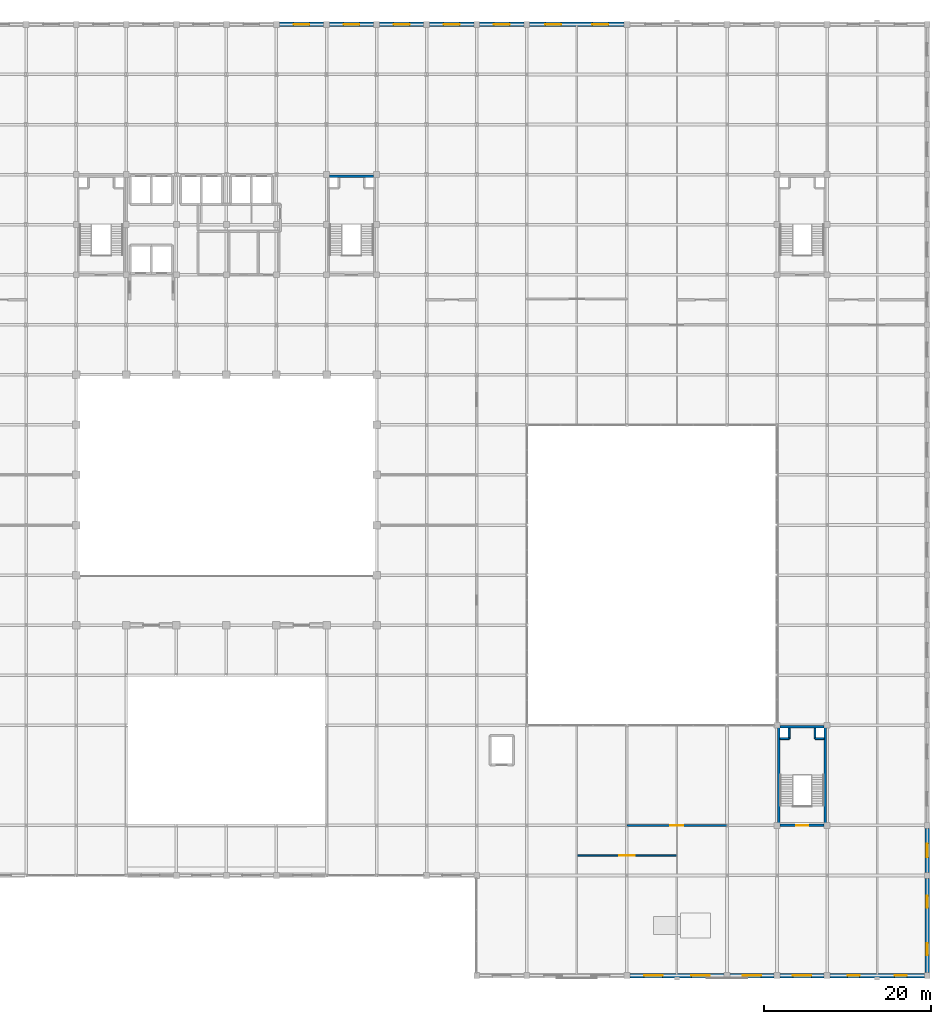
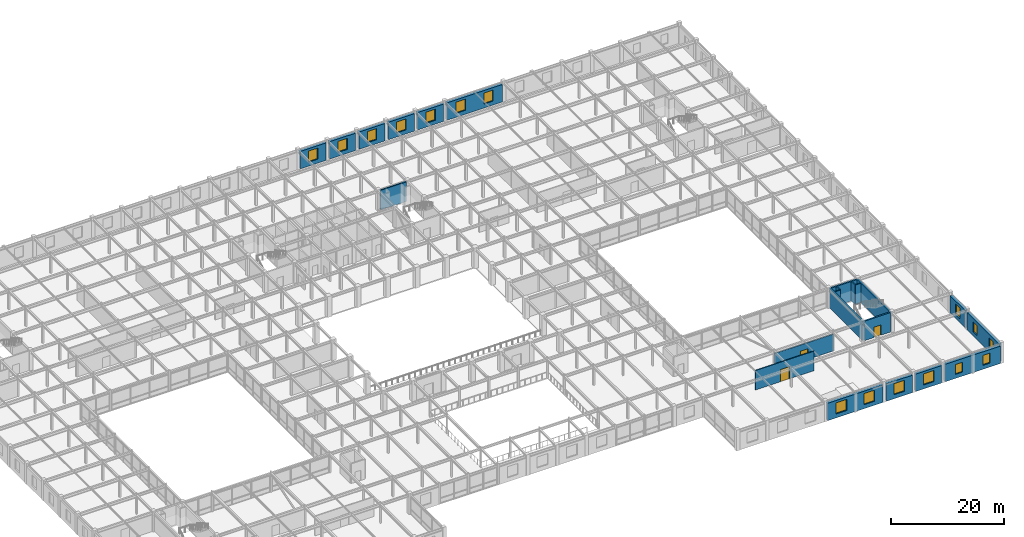
# One storey, part 103 of 108: 23 walls, 16 windows, 3 doors, 19 openings.
"""IFC4 building model written with IfcOpenShell, lengths in metres."""

from ifc_helpers import new_model, si_unit, direction, frame, frame_2d, origin, place, context, subcontext, project, spatial, rectangle, extrude, material, layer, layer_set, type_object, element, fill, save


model = new_model("IFC4")

# Units and contexts
model_context = context("Model", 3, precision=1e-05, world=origin(), true_north=direction((0.0, 1.0)))
body_context = subcontext(model_context, "Body", "Model", "MODEL_VIEW")
ifc_project = project(units=[si_unit("LENGTHUNIT", "METRE"), si_unit("AREAUNIT", "SQUARE_METRE"), si_unit("VOLUMEUNIT", "CUBIC_METRE"), si_unit("PLANEANGLEUNIT", "RADIAN"), si_unit("MASSUNIT", "GRAM", prefix="KILO")], contexts=[model_context])

# Site, building, storey
site_placement = place(None, origin())
site = spatial("IfcSite", under=ifc_project, at=site_placement, CompositionType="ELEMENT")
building_placement = place(site_placement, origin())
building = spatial("IfcBuilding", under=site, at=building_placement, Name="Zlatovratsky Civic Hall", CompositionType="ELEMENT")
storey_placement = place(building_placement, frame((0.0, 0.0, 12.0)))
storey = spatial("IfcBuildingStorey", under=building, at=storey_placement, Name="L03", CompositionType="ELEMENT", Elevation=12.0)

# Wall, opening, door
ifc_material_1 = material(Name="Acoustic ceramic blockwork", Category="masonry")
ifc_layer_1 = layer(ifc_material_1, 0.179931640625)
ifc_layer_set_1 = layer_set([ifc_layer_1], Name="Acoustic ceramic blockwork")
wall_type_1 = type_object("IfcWallType", Name="Wall_AcousticChamberPartition_180", PredefinedType="PARTITIONING", material=ifc_layer_set_1)
wall_1_placement = place(storey_placement, frame((126.0, 14.39990234375, 0.0), z_axis=(0.0, 0.0, 1.0), x_axis=(1.0, 0.0, 0.0)))
wall_1 = element("IfcWall", 1, at=wall_1_placement, inside=storey, type_object=wall_type_1, Name="WL-6171", PredefinedType="PARTITIONING", context=body_context, shape_type="SweptSolid", body=[
    extrude(rectangle(XDim=12.0, YDim=0.179931640625, at=frame_2d((6.0, 0.0))), origin(), (0.0, 0.0, 1.0), 4.219970703125),
])
opening_1_placement = place(wall_1_placement, frame((5.074951171875, 0.0, 0.0)))
opening_1 = element("IfcOpeningElement", 2, at=opening_1_placement, cuts=wall_1, Name="Opening D-14", PredefinedType="OPENING", context=body_context, shape_type="SweptSolid", body=[
    extrude(rectangle(XDim=1.85009765625, YDim=2.64990234375, at=frame_2d((0.925048828125, 1.324951171875))), frame((0.0, 0.10498046875, 0.0), z_axis=(0.0, -1.0, 0.0), x_axis=(1.0, 0.0, 0.0)), (0.0, 0.0, 1.0), 0.209716796875),
])
ifc_material_2 = material(Name="Solid oak joinery in steel frame", Category="steel")
door_type_1 = type_object("IfcDoorType", Name="Door_LibraryReadingDouble_1850x2650", OperationType="DOUBLE_DOOR_SINGLE_SWING", PredefinedType="DOOR", material=ifc_material_2)
door_1_placement = place(opening_1_placement, origin())
door_1 = element("IfcDoor", 3, at=door_1_placement, inside=storey, type_object=door_type_1, Name="DR-5292", OperationType="DOUBLE_DOOR_SINGLE_SWING", OverallHeight=2.64990234375, OverallWidth=1.85009765625, PredefinedType="DOOR", context=body_context, shape_type="SweptSolid", body=[
    extrude(rectangle(XDim=1.85009765625, YDim=2.64990234375, at=frame_2d((0.925048828125, 1.324951171875))), frame((0.0, 0.02490234375, 0.0), z_axis=(0.0, -1.0, 0.0), x_axis=(1.0, 0.0, 0.0)), (0.0, 0.0, 1.0), 0.050048828125),
])
fill(opening_1, door_1)

ifc_layer_2 = layer(ifc_material_1, 0.260009765625)
ifc_layer_set_2 = layer_set([ifc_layer_2], Name="Acoustic ceramic blockwork")
wall_type_2 = type_object("IfcWallType", Name="Wall_ArchiveCompartment_260", PredefinedType="PARTITIONING", material=ifc_layer_set_2)
wall_2_placement = place(storey_placement, frame((132.0, 18.0, 0.0), z_axis=(0.0, 0.0, 1.0), x_axis=(1.0, 0.0, 0.0)))
wall_2 = element("IfcWall", 4, at=wall_2_placement, inside=storey, type_object=wall_type_2, Name="WL-6180", PredefinedType="PARTITIONING", context=body_context, shape_type="SweptSolid", body=[
    extrude(rectangle(XDim=12.0, YDim=0.260009765625, at=frame_2d((6.0, 0.0))), origin(), (0.0, 0.0, 1.0), 3.637939453125),
])
opening_2_placement = place(wall_2_placement, frame((5.22509765625, 0.0, 0.0)))
opening_2 = element("IfcOpeningElement", 5, at=opening_2_placement, cuts=wall_2, Name="Opening D-15", PredefinedType="OPENING", context=body_context, shape_type="SweptSolid", body=[
    extrude(rectangle(XDim=1.550048828125, YDim=2.300048828125, at=frame_2d((0.77490234375, 1.14990234375))), frame((0.0, 0.14501953125, 0.0), z_axis=(0.0, -1.0, 0.0), x_axis=(1.0, 0.0, 0.0)), (0.0, 0.0, 1.0), 0.289794921875),
])
ifc_material_3 = material(Name="Insulated painted fire-rated steel leaf", Category="steel")
door_type_2 = type_object("IfcDoorType", Name="Door_CompactArchiveFire_1550x2300", OperationType="DOUBLE_DOOR_SINGLE_SWING", PredefinedType="DOOR", material=ifc_material_3)
door_2_placement = place(opening_2_placement, origin())
door_2 = element("IfcDoor", 6, at=door_2_placement, inside=storey, type_object=door_type_2, Name="DR-5301", OperationType="DOUBLE_DOOR_SINGLE_SWING", OverallHeight=2.300048828125, OverallWidth=1.550048828125, PredefinedType="DOOR", context=body_context, shape_type="SweptSolid", body=[
    extrude(rectangle(XDim=1.550048828125, YDim=2.300048828125, at=frame_2d((0.77490234375, 1.14990234375))), frame((0.0, 0.02490234375, 0.0), z_axis=(0.0, -1.0, 0.0), x_axis=(1.0, 0.0, 0.0)), (0.0, 0.0, 1.0), 0.050048828125),
])
fill(opening_2, door_2)

# Wall, openings, windows
ifc_layer_3 = layer(ifc_material_1, 0.39990234375, Name="Backing")
ifc_material_4 = material(Name="Polished Karelian granite ashlar", Category="masonry")
ifc_layer_4 = layer(ifc_material_4, 0.139892578125, Name="Finish")
ifc_layer_set_3 = layer_set([ifc_layer_3, ifc_layer_4], Name="Acoustic ceramic blockwork")
wall_type_3 = type_object("IfcWallType", Name="Wall_PodiumGraniteArcade_540", PredefinedType="SOLIDWALL", material=ifc_layer_set_3)
wall_3_placement = place(storey_placement, frame((132.35009765625, 0.0, 0.0), z_axis=(0.0, 0.0, 1.0), x_axis=(1.0, 0.0, 0.0)))
wall_3 = element("IfcWall", 7, at=wall_3_placement, inside=storey, type_object=wall_type_3, Name="WL-0249", PredefinedType="SOLIDWALL", context=body_context, shape_type="SweptSolid", body=[
    extrude(rectangle(XDim=11.2998046875, YDim=0.5400390625, at=frame_2d((5.64990234375, 0.0))), origin(), (0.0, 0.0, 1.0), 3.77001953125),
])
opening_3_placement = place(wall_3_placement, frame((1.72509765625, 0.0, 0.85009765625)))
opening_3 = element("IfcOpeningElement", 8, at=opening_3_placement, cuts=wall_3, Name="Opening WN-07", PredefinedType="OPENING", context=body_context, shape_type="SweptSolid", body=[
    extrude(rectangle(XDim=2.199951171875, YDim=2.39990234375, at=frame_2d((1.10009765625, 1.199951171875))), frame((0.0, 0.284912109375, 0.0), z_axis=(0.0, -1.0, 0.0), x_axis=(1.0, 0.0, 0.0)), (0.0, 0.0, 1.0), 0.56982421875),
])
opening_4_placement = place(wall_3_placement, frame((7.375, 0.0, 0.85009765625)))
opening_4 = element("IfcOpeningElement", 9, at=opening_4_placement, cuts=wall_3, Name="Opening WN-07", PredefinedType="OPENING", context=body_context, shape_type="SweptSolid", body=[
    extrude(rectangle(XDim=2.199951171875, YDim=2.39990234375, at=frame_2d((1.10009765625, 1.199951171875))), frame((0.0, 0.284912109375, 0.0), z_axis=(0.0, -1.0, 0.0), x_axis=(1.0, 0.0, 0.0)), (0.0, 0.0, 1.0), 0.56982421875),
])
ifc_material_5 = material(Name="Low-E laminated double glazing", Category="glass")
window_type_1 = type_object("IfcWindowType", Name="Window_GalleryClerestory_2200x2400", PartitioningType="SINGLE_PANEL", PredefinedType="WINDOW", material=ifc_material_5)
window_1_placement = place(opening_3_placement, origin())
window_1 = element("IfcWindow", 10, at=window_1_placement, inside=storey, type_object=window_type_1, Name="WN-0177", OverallHeight=2.39990234375, OverallWidth=2.199951171875, PartitioningType="SINGLE_PANEL", PredefinedType="WINDOW", context=body_context, shape_type="SweptSolid", body=[
    extrude(rectangle(XDim=2.199951171875, YDim=2.39990234375, at=frame_2d((1.10009765625, 1.199951171875))), frame((0.0, 0.030029296875, 0.0), z_axis=(0.0, -1.0, 0.0), x_axis=(1.0, 0.0, 0.0)), (0.0, 0.0, 1.0), 0.06005859375),
])
fill(opening_3, window_1)
window_2_placement = place(opening_4_placement, origin())
window_2 = element("IfcWindow", 11, at=window_2_placement, inside=storey, type_object=window_type_1, Name="WN-0178", OverallHeight=2.39990234375, OverallWidth=2.199951171875, PartitioningType="SINGLE_PANEL", PredefinedType="WINDOW", context=body_context, shape_type="SweptSolid", body=[
    extrude(rectangle(XDim=2.199951171875, YDim=2.39990234375, at=frame_2d((1.10009765625, 1.199951171875))), frame((0.0, 0.030029296875, 0.0), z_axis=(0.0, -1.0, 0.0), x_axis=(1.0, 0.0, 0.0)), (0.0, 0.0, 1.0), 0.06005859375),
])
fill(opening_4, window_2)

# Wall, opening, window
wall_4_placement = place(storey_placement, frame((144.35009765625, 0.0, 0.0), z_axis=(0.0, 0.0, 1.0), x_axis=(1.0, 0.0, 0.0)))
wall_4 = element("IfcWall", 12, at=wall_4_placement, inside=storey, type_object=wall_type_3, Name="WL-0250", PredefinedType="SOLIDWALL", context=body_context, shape_type="SweptSolid", body=[
    extrude(rectangle(XDim=5.2998046875, YDim=0.5400390625, at=frame_2d((2.64990234375, 0.0))), origin(), (0.0, 0.0, 1.0), 3.77001953125),
])
opening_5_placement = place(wall_4_placement, frame((1.550048828125, 0.0, 0.85009765625)))
opening_5 = element("IfcOpeningElement", 13, at=opening_5_placement, cuts=wall_4, Name="Opening WN-07", PredefinedType="OPENING", context=body_context, shape_type="SweptSolid", body=[
    extrude(rectangle(XDim=2.199951171875, YDim=2.39990234375, at=frame_2d((1.10009765625, 1.199951171875))), frame((0.0, 0.284912109375, 0.0), z_axis=(0.0, -1.0, 0.0), x_axis=(1.0, 0.0, 0.0)), (0.0, 0.0, 1.0), 0.56982421875),
])
window_3_placement = place(opening_5_placement, origin())
window_3 = element("IfcWindow", 14, at=window_3_placement, inside=storey, type_object=window_type_1, Name="WN-0179", OverallHeight=2.39990234375, OverallWidth=2.199951171875, PartitioningType="SINGLE_PANEL", PredefinedType="WINDOW", context=body_context, shape_type="SweptSolid", body=[
    extrude(rectangle(XDim=2.199951171875, YDim=2.39990234375, at=frame_2d((1.10009765625, 1.199951171875))), frame((0.0, 0.030029296875, 0.0), z_axis=(0.0, -1.0, 0.0), x_axis=(1.0, 0.0, 0.0)), (0.0, 0.0, 1.0), 0.06005859375),
])
fill(opening_5, window_3)

wall_5_placement = place(storey_placement, frame((150.35009765625, 0.0, 0.0), z_axis=(0.0, 0.0, 1.0), x_axis=(1.0, 0.0, 0.0)))
wall_5 = element("IfcWall", 15, at=wall_5_placement, inside=storey, type_object=wall_type_3, Name="WL-0251", PredefinedType="SOLIDWALL", context=body_context, shape_type="SweptSolid", body=[
    extrude(rectangle(XDim=5.2998046875, YDim=0.5400390625, at=frame_2d((2.64990234375, 0.0))), origin(), (0.0, 0.0, 1.0), 3.77001953125),
])
opening_6_placement = place(wall_5_placement, frame((1.550048828125, 0.0, 0.85009765625)))
opening_6 = element("IfcOpeningElement", 16, at=opening_6_placement, cuts=wall_5, Name="Opening WN-07", PredefinedType="OPENING", context=body_context, shape_type="SweptSolid", body=[
    extrude(rectangle(XDim=2.199951171875, YDim=2.39990234375, at=frame_2d((1.10009765625, 1.199951171875))), frame((0.0, 0.284912109375, 0.0), z_axis=(0.0, -1.0, 0.0), x_axis=(1.0, 0.0, 0.0)), (0.0, 0.0, 1.0), 0.56982421875),
])
window_4_placement = place(opening_6_placement, origin())
window_4 = element("IfcWindow", 17, at=window_4_placement, inside=storey, type_object=window_type_1, Name="WN-0180", OverallHeight=2.39990234375, OverallWidth=2.199951171875, PartitioningType="SINGLE_PANEL", PredefinedType="WINDOW", context=body_context, shape_type="SweptSolid", body=[
    extrude(rectangle(XDim=2.199951171875, YDim=2.39990234375, at=frame_2d((1.10009765625, 1.199951171875))), frame((0.0, 0.030029296875, 0.0), z_axis=(0.0, -1.0, 0.0), x_axis=(1.0, 0.0, 0.0)), (0.0, 0.0, 1.0), 0.06005859375),
])
fill(opening_6, window_4)

# Wall, openings, windows
wall_6_placement = place(storey_placement, frame((156.35009765625, 0.0, 0.0), z_axis=(0.0, 0.0, 1.0), x_axis=(1.0, 0.0, 0.0)))
wall_6 = element("IfcWall", 18, at=wall_6_placement, inside=storey, type_object=wall_type_3, Name="WL-0252", PredefinedType="SOLIDWALL", context=body_context, shape_type="SweptSolid", body=[
    extrude(rectangle(XDim=11.2998046875, YDim=0.5400390625, at=frame_2d((5.64990234375, 0.0))), origin(), (0.0, 0.0, 1.0), 3.77001953125),
])
opening_7_placement = place(wall_6_placement, frame((2.10009765625, 0.0, 0.85009765625)))
opening_7 = element("IfcOpeningElement", 19, at=opening_7_placement, cuts=wall_6, Name="Opening WN-28", PredefinedType="OPENING", context=body_context, shape_type="SweptSolid", body=[
    extrude(rectangle(XDim=1.449951171875, YDim=2.14990234375, at=frame_2d((0.72509765625, 1.074951171875))), frame((0.0, 0.284912109375, 0.0), z_axis=(0.0, -1.0, 0.0), x_axis=(1.0, 0.0, 0.0)), (0.0, 0.0, 1.0), 0.56982421875),
])
opening_8_placement = place(wall_6_placement, frame((7.75, 0.0, 0.85009765625)))
opening_8 = element("IfcOpeningElement", 20, at=opening_8_placement, cuts=wall_6, Name="Opening WN-28", PredefinedType="OPENING", context=body_context, shape_type="SweptSolid", body=[
    extrude(rectangle(XDim=1.449951171875, YDim=2.14990234375, at=frame_2d((0.72509765625, 1.074951171875))), frame((0.0, 0.284912109375, 0.0), z_axis=(0.0, -1.0, 0.0), x_axis=(1.0, 0.0, 0.0)), (0.0, 0.0, 1.0), 0.56982421875),
])
window_type_2 = type_object("IfcWindowType", Name="Window_CornerBastionUpper_1450x2150", PartitioningType="SINGLE_PANEL", PredefinedType="WINDOW", material=ifc_material_5)
window_5_placement = place(opening_7_placement, origin())
window_5 = element("IfcWindow", 21, at=window_5_placement, inside=storey, type_object=window_type_2, Name="WN-0181", OverallHeight=2.14990234375, OverallWidth=1.449951171875, PartitioningType="SINGLE_PANEL", PredefinedType="WINDOW", context=body_context, shape_type="SweptSolid", body=[
    extrude(rectangle(XDim=1.449951171875, YDim=2.14990234375, at=frame_2d((0.72509765625, 1.074951171875))), frame((0.0, 0.030029296875, 0.0), z_axis=(0.0, -1.0, 0.0), x_axis=(1.0, 0.0, 0.0)), (0.0, 0.0, 1.0), 0.06005859375),
])
fill(opening_7, window_5)
window_6_placement = place(opening_8_placement, origin())
window_6 = element("IfcWindow", 22, at=window_6_placement, inside=storey, type_object=window_type_2, Name="WN-0182", OverallHeight=2.14990234375, OverallWidth=1.449951171875, PartitioningType="SINGLE_PANEL", PredefinedType="WINDOW", context=body_context, shape_type="SweptSolid", body=[
    extrude(rectangle(XDim=1.449951171875, YDim=2.14990234375, at=frame_2d((0.72509765625, 1.074951171875))), frame((0.0, 0.030029296875, 0.0), z_axis=(0.0, -1.0, 0.0), x_axis=(1.0, 0.0, 0.0)), (0.0, 0.0, 1.0), 0.06005859375),
])
fill(opening_8, window_6)

# Wall, opening, window
wall_7_placement = place(storey_placement, frame((90.35009765625, 114.0, 0.0), z_axis=(0.0, 0.0, 1.0), x_axis=(1.0, 0.0, 0.0)))
wall_7 = element("IfcWall", 23, at=wall_7_placement, inside=storey, type_object=wall_type_3, Name="WL-0271", PredefinedType="SOLIDWALL", context=body_context, shape_type="SweptSolid", body=[
    extrude(rectangle(XDim=5.2998046875, YDim=0.5400390625, at=frame_2d((2.64990234375, 0.0))), origin(), (0.0, 0.0, 1.0), 3.77001953125),
])
opening_9_placement = place(wall_7_placement, frame((1.699951171875, 0.0, 0.85009765625)))
opening_9 = element("IfcOpeningElement", 24, at=opening_9_placement, cuts=wall_7, Name="Opening WN-08", PredefinedType="OPENING", context=body_context, shape_type="SweptSolid", body=[
    extrude(rectangle(XDim=1.89990234375, YDim=2.39990234375, at=frame_2d((0.949951171875, 1.199951171875))), frame((0.0, 0.284912109375, 0.0), z_axis=(0.0, -1.0, 0.0), x_axis=(1.0, 0.0, 0.0)), (0.0, 0.0, 1.0), 0.56982421875),
])
window_type_3 = type_object("IfcWindowType", Name="Window_CommitteeWingL03_1900x2400", PartitioningType="SINGLE_PANEL", PredefinedType="WINDOW", material=ifc_material_5)
window_7_placement = place(opening_9_placement, origin())
window_7 = element("IfcWindow", 25, at=window_7_placement, inside=storey, type_object=window_type_3, Name="WN-0203", OverallHeight=2.39990234375, OverallWidth=1.89990234375, PartitioningType="SINGLE_PANEL", PredefinedType="WINDOW", context=body_context, shape_type="SweptSolid", body=[
    extrude(rectangle(XDim=1.89990234375, YDim=2.39990234375, at=frame_2d((0.949951171875, 1.199951171875))), frame((0.0, 0.030029296875, 0.0), z_axis=(0.0, -1.0, 0.0), x_axis=(1.0, 0.0, 0.0)), (0.0, 0.0, 1.0), 0.06005859375),
])
fill(opening_9, window_7)

wall_8_placement = place(storey_placement, frame((96.35009765625, 114.0, 0.0), z_axis=(0.0, 0.0, 1.0), x_axis=(1.0, 0.0, 0.0)))
wall_8 = element("IfcWall", 26, at=wall_8_placement, inside=storey, type_object=wall_type_3, Name="WL-0272", PredefinedType="SOLIDWALL", context=body_context, shape_type="SweptSolid", body=[
    extrude(rectangle(XDim=5.2998046875, YDim=0.5400390625, at=frame_2d((2.64990234375, 0.0))), origin(), (0.0, 0.0, 1.0), 3.77001953125),
])
opening_10_placement = place(wall_8_placement, frame((1.699951171875, 0.0, 0.85009765625)))
opening_10 = element("IfcOpeningElement", 27, at=opening_10_placement, cuts=wall_8, Name="Opening WN-08", PredefinedType="OPENING", context=body_context, shape_type="SweptSolid", body=[
    extrude(rectangle(XDim=1.89990234375, YDim=2.39990234375, at=frame_2d((0.949951171875, 1.199951171875))), frame((0.0, 0.284912109375, 0.0), z_axis=(0.0, -1.0, 0.0), x_axis=(1.0, 0.0, 0.0)), (0.0, 0.0, 1.0), 0.56982421875),
])
window_8_placement = place(opening_10_placement, origin())
window_8 = element("IfcWindow", 28, at=window_8_placement, inside=storey, type_object=window_type_3, Name="WN-0204", OverallHeight=2.39990234375, OverallWidth=1.89990234375, PartitioningType="SINGLE_PANEL", PredefinedType="WINDOW", context=body_context, shape_type="SweptSolid", body=[
    extrude(rectangle(XDim=1.89990234375, YDim=2.39990234375, at=frame_2d((0.949951171875, 1.199951171875))), frame((0.0, 0.030029296875, 0.0), z_axis=(0.0, -1.0, 0.0), x_axis=(1.0, 0.0, 0.0)), (0.0, 0.0, 1.0), 0.06005859375),
])
fill(opening_10, window_8)

wall_9_placement = place(storey_placement, frame((102.35009765625, 114.0, 0.0), z_axis=(0.0, 0.0, 1.0), x_axis=(1.0, 0.0, 0.0)))
wall_9 = element("IfcWall", 29, at=wall_9_placement, inside=storey, type_object=wall_type_3, Name="WL-0273", PredefinedType="SOLIDWALL", context=body_context, shape_type="SweptSolid", body=[
    extrude(rectangle(XDim=5.2998046875, YDim=0.5400390625, at=frame_2d((2.64990234375, 0.0))), origin(), (0.0, 0.0, 1.0), 3.77001953125),
])
opening_11_placement = place(wall_9_placement, frame((1.699951171875, 0.0, 0.85009765625)))
opening_11 = element("IfcOpeningElement", 30, at=opening_11_placement, cuts=wall_9, Name="Opening WN-08", PredefinedType="OPENING", context=body_context, shape_type="SweptSolid", body=[
    extrude(rectangle(XDim=1.89990234375, YDim=2.39990234375, at=frame_2d((0.949951171875, 1.199951171875))), frame((0.0, 0.284912109375, 0.0), z_axis=(0.0, -1.0, 0.0), x_axis=(1.0, 0.0, 0.0)), (0.0, 0.0, 1.0), 0.56982421875),
])
window_9_placement = place(opening_11_placement, origin())
window_9 = element("IfcWindow", 31, at=window_9_placement, inside=storey, type_object=window_type_3, Name="WN-0205", OverallHeight=2.39990234375, OverallWidth=1.89990234375, PartitioningType="SINGLE_PANEL", PredefinedType="WINDOW", context=body_context, shape_type="SweptSolid", body=[
    extrude(rectangle(XDim=1.89990234375, YDim=2.39990234375, at=frame_2d((0.949951171875, 1.199951171875))), frame((0.0, 0.030029296875, 0.0), z_axis=(0.0, -1.0, 0.0), x_axis=(1.0, 0.0, 0.0)), (0.0, 0.0, 1.0), 0.06005859375),
])
fill(opening_11, window_9)

wall_10_placement = place(storey_placement, frame((108.35009765625, 114.0, 0.0), z_axis=(0.0, 0.0, 1.0), x_axis=(1.0, 0.0, 0.0)))
wall_10 = element("IfcWall", 32, at=wall_10_placement, inside=storey, type_object=wall_type_3, Name="WL-0274", PredefinedType="SOLIDWALL", context=body_context, shape_type="SweptSolid", body=[
    extrude(rectangle(XDim=5.2998046875, YDim=0.5400390625, at=frame_2d((2.64990234375, 0.0))), origin(), (0.0, 0.0, 1.0), 3.77001953125),
])
opening_12_placement = place(wall_10_placement, frame((1.699951171875, 0.0, 0.85009765625)))
opening_12 = element("IfcOpeningElement", 33, at=opening_12_placement, cuts=wall_10, Name="Opening WN-08", PredefinedType="OPENING", context=body_context, shape_type="SweptSolid", body=[
    extrude(rectangle(XDim=1.89990234375, YDim=2.39990234375, at=frame_2d((0.949951171875, 1.199951171875))), frame((0.0, 0.284912109375, 0.0), z_axis=(0.0, -1.0, 0.0), x_axis=(1.0, 0.0, 0.0)), (0.0, 0.0, 1.0), 0.56982421875),
])
window_10_placement = place(opening_12_placement, origin())
window_10 = element("IfcWindow", 34, at=window_10_placement, inside=storey, type_object=window_type_3, Name="WN-0206", OverallHeight=2.39990234375, OverallWidth=1.89990234375, PartitioningType="SINGLE_PANEL", PredefinedType="WINDOW", context=body_context, shape_type="SweptSolid", body=[
    extrude(rectangle(XDim=1.89990234375, YDim=2.39990234375, at=frame_2d((0.949951171875, 1.199951171875))), frame((0.0, 0.030029296875, 0.0), z_axis=(0.0, -1.0, 0.0), x_axis=(1.0, 0.0, 0.0)), (0.0, 0.0, 1.0), 0.06005859375),
])
fill(opening_12, window_10)

wall_11_placement = place(storey_placement, frame((114.35009765625, 114.0, 0.0), z_axis=(0.0, 0.0, 1.0), x_axis=(1.0, 0.0, 0.0)))
wall_11 = element("IfcWall", 35, at=wall_11_placement, inside=storey, type_object=wall_type_3, Name="WL-0275", PredefinedType="SOLIDWALL", context=body_context, shape_type="SweptSolid", body=[
    extrude(rectangle(XDim=5.2998046875, YDim=0.5400390625, at=frame_2d((2.64990234375, 0.0))), origin(), (0.0, 0.0, 1.0), 3.77001953125),
])
opening_13_placement = place(wall_11_placement, frame((1.699951171875, 0.0, 0.85009765625)))
opening_13 = element("IfcOpeningElement", 36, at=opening_13_placement, cuts=wall_11, Name="Opening WN-08", PredefinedType="OPENING", context=body_context, shape_type="SweptSolid", body=[
    extrude(rectangle(XDim=1.89990234375, YDim=2.39990234375, at=frame_2d((0.949951171875, 1.199951171875))), frame((0.0, 0.284912109375, 0.0), z_axis=(0.0, -1.0, 0.0), x_axis=(1.0, 0.0, 0.0)), (0.0, 0.0, 1.0), 0.56982421875),
])
window_11_placement = place(opening_13_placement, origin())
window_11 = element("IfcWindow", 37, at=window_11_placement, inside=storey, type_object=window_type_3, Name="WN-0207", OverallHeight=2.39990234375, OverallWidth=1.89990234375, PartitioningType="SINGLE_PANEL", PredefinedType="WINDOW", context=body_context, shape_type="SweptSolid", body=[
    extrude(rectangle(XDim=1.89990234375, YDim=2.39990234375, at=frame_2d((0.949951171875, 1.199951171875))), frame((0.0, 0.030029296875, 0.0), z_axis=(0.0, -1.0, 0.0), x_axis=(1.0, 0.0, 0.0)), (0.0, 0.0, 1.0), 0.06005859375),
])
fill(opening_13, window_11)

# Wall, openings, windows
wall_12_placement = place(storey_placement, frame((120.35009765625, 114.0, 0.0), z_axis=(0.0, 0.0, 1.0), x_axis=(1.0, 0.0, 0.0)))
wall_12 = element("IfcWall", 38, at=wall_12_placement, inside=storey, type_object=wall_type_3, Name="WL-0276", PredefinedType="SOLIDWALL", context=body_context, shape_type="SweptSolid", body=[
    extrude(rectangle(XDim=11.2998046875, YDim=0.5400390625, at=frame_2d((5.64990234375, 0.0))), origin(), (0.0, 0.0, 1.0), 3.77001953125),
])
opening_14_placement = place(wall_12_placement, frame((1.875, 0.0, 0.85009765625)))
opening_14 = element("IfcOpeningElement", 39, at=opening_14_placement, cuts=wall_12, Name="Opening WN-08", PredefinedType="OPENING", context=body_context, shape_type="SweptSolid", body=[
    extrude(rectangle(XDim=1.89990234375, YDim=2.39990234375, at=frame_2d((0.949951171875, 1.199951171875))), frame((0.0, 0.284912109375, 0.0), z_axis=(0.0, -1.0, 0.0), x_axis=(1.0, 0.0, 0.0)), (0.0, 0.0, 1.0), 0.56982421875),
])
opening_15_placement = place(wall_12_placement, frame((7.52490234375, 0.0, 0.85009765625)))
opening_15 = element("IfcOpeningElement", 40, at=opening_15_placement, cuts=wall_12, Name="Opening WN-08", PredefinedType="OPENING", context=body_context, shape_type="SweptSolid", body=[
    extrude(rectangle(XDim=1.89990234375, YDim=2.39990234375, at=frame_2d((0.949951171875, 1.199951171875))), frame((0.0, 0.284912109375, 0.0), z_axis=(0.0, -1.0, 0.0), x_axis=(1.0, 0.0, 0.0)), (0.0, 0.0, 1.0), 0.56982421875),
])
window_12_placement = place(opening_14_placement, origin())
window_12 = element("IfcWindow", 41, at=window_12_placement, inside=storey, type_object=window_type_3, Name="WN-0208", OverallHeight=2.39990234375, OverallWidth=1.89990234375, PartitioningType="SINGLE_PANEL", PredefinedType="WINDOW", context=body_context, shape_type="SweptSolid", body=[
    extrude(rectangle(XDim=1.89990234375, YDim=2.39990234375, at=frame_2d((0.949951171875, 1.199951171875))), frame((0.0, 0.030029296875, 0.0), z_axis=(0.0, -1.0, 0.0), x_axis=(1.0, 0.0, 0.0)), (0.0, 0.0, 1.0), 0.06005859375),
])
fill(opening_14, window_12)
window_13_placement = place(opening_15_placement, origin())
window_13 = element("IfcWindow", 42, at=window_13_placement, inside=storey, type_object=window_type_3, Name="WN-0209", OverallHeight=2.39990234375, OverallWidth=1.89990234375, PartitioningType="SINGLE_PANEL", PredefinedType="WINDOW", context=body_context, shape_type="SweptSolid", body=[
    extrude(rectangle(XDim=1.89990234375, YDim=2.39990234375, at=frame_2d((0.949951171875, 1.199951171875))), frame((0.0, 0.030029296875, 0.0), z_axis=(0.0, -1.0, 0.0), x_axis=(1.0, 0.0, 0.0)), (0.0, 0.0, 1.0), 0.06005859375),
])
fill(opening_15, window_13)

wall_13_placement = place(storey_placement, frame((168.0, 0.35009765625, 0.0), z_axis=(0.0, 0.0, 1.0), x_axis=(0.0, 1.0, 0.0)))
wall_13 = element("IfcWall", 43, at=wall_13_placement, inside=storey, type_object=wall_type_3, Name="WL-0298", PredefinedType="SOLIDWALL", context=body_context, shape_type="SweptSolid", body=[
    extrude(rectangle(XDim=11.2998046875, YDim=0.5400390625, at=frame_2d((5.64990234375, 0.0))), origin(), (0.0, 0.0, 1.0), 3.77001953125),
])
opening_16_placement = place(wall_13_placement, frame((2.10009765625, 0.0, 0.85009765625)))
opening_16 = element("IfcOpeningElement", 44, at=opening_16_placement, cuts=wall_13, Name="Opening WN-28", PredefinedType="OPENING", context=body_context, shape_type="SweptSolid", body=[
    extrude(rectangle(XDim=1.449951171875, YDim=2.14990234375, at=frame_2d((0.72509765625, 1.074951171875))), frame((0.0, 0.284912109375, 0.0), z_axis=(0.0, -1.0, 0.0), x_axis=(1.0, 0.0, 0.0)), (0.0, 0.0, 1.0), 0.56982421875),
])
opening_17_placement = place(wall_13_placement, frame((7.75, 0.0, 0.85009765625)))
opening_17 = element("IfcOpeningElement", 45, at=opening_17_placement, cuts=wall_13, Name="Opening WN-28", PredefinedType="OPENING", context=body_context, shape_type="SweptSolid", body=[
    extrude(rectangle(XDim=1.449951171875, YDim=2.14990234375, at=frame_2d((0.72509765625, 1.074951171875))), frame((0.0, 0.284912109375, 0.0), z_axis=(0.0, -1.0, 0.0), x_axis=(1.0, 0.0, 0.0)), (0.0, 0.0, 1.0), 0.56982421875),
])
window_14_placement = place(opening_16_placement, origin())
window_14 = element("IfcWindow", 46, at=window_14_placement, inside=storey, type_object=window_type_2, Name="WN-0234", OverallHeight=2.14990234375, OverallWidth=1.449951171875, PartitioningType="SINGLE_PANEL", PredefinedType="WINDOW", context=body_context, shape_type="SweptSolid", body=[
    extrude(rectangle(XDim=1.449951171875, YDim=2.14990234375, at=frame_2d((0.72509765625, 1.074951171875))), frame((0.0, 0.030029296875, 0.0), z_axis=(0.0, -1.0, 0.0), x_axis=(1.0, 0.0, 0.0)), (0.0, 0.0, 1.0), 0.06005859375),
])
fill(opening_16, window_14)
window_15_placement = place(opening_17_placement, origin())
window_15 = element("IfcWindow", 47, at=window_15_placement, inside=storey, type_object=window_type_2, Name="WN-0235", OverallHeight=2.14990234375, OverallWidth=1.449951171875, PartitioningType="SINGLE_PANEL", PredefinedType="WINDOW", context=body_context, shape_type="SweptSolid", body=[
    extrude(rectangle(XDim=1.449951171875, YDim=2.14990234375, at=frame_2d((0.72509765625, 1.074951171875))), frame((0.0, 0.030029296875, 0.0), z_axis=(0.0, -1.0, 0.0), x_axis=(1.0, 0.0, 0.0)), (0.0, 0.0, 1.0), 0.06005859375),
])
fill(opening_17, window_15)

# Wall, opening, window
wall_14_placement = place(storey_placement, frame((168.0, 12.35009765625, 0.0), z_axis=(0.0, 0.0, 1.0), x_axis=(0.0, 1.0, 0.0)))
wall_14 = element("IfcWall", 48, at=wall_14_placement, inside=storey, type_object=wall_type_3, Name="WL-0299", PredefinedType="SOLIDWALL", context=body_context, shape_type="SweptSolid", body=[
    extrude(rectangle(XDim=5.2998046875, YDim=0.5400390625, at=frame_2d((2.64990234375, 0.0))), origin(), (0.0, 0.0, 1.0), 3.77001953125),
])
opening_18_placement = place(wall_14_placement, frame((1.824951171875, 0.0, 0.85009765625)))
opening_18 = element("IfcOpeningElement", 49, at=opening_18_placement, cuts=wall_14, Name="Opening WN-09", PredefinedType="OPENING", context=body_context, shape_type="SweptSolid", body=[
    extrude(rectangle(XDim=1.64990234375, YDim=2.300048828125, at=frame_2d((0.824951171875, 1.14990234375))), frame((0.0, 0.284912109375, 0.0), z_axis=(0.0, -1.0, 0.0), x_axis=(1.0, 0.0, 0.0)), (0.0, 0.0, 1.0), 0.56982421875),
])
window_type_4 = type_object("IfcWindowType", Name="Window_CourtWingL03_1650x2300", PartitioningType="SINGLE_PANEL", PredefinedType="WINDOW", material=ifc_material_5)
window_16_placement = place(opening_18_placement, origin())
window_16 = element("IfcWindow", 50, at=window_16_placement, inside=storey, type_object=window_type_4, Name="WN-0236", OverallHeight=2.300048828125, OverallWidth=1.64990234375, PartitioningType="SINGLE_PANEL", PredefinedType="WINDOW", context=body_context, shape_type="SweptSolid", body=[
    extrude(rectangle(XDim=1.64990234375, YDim=2.300048828125, at=frame_2d((0.824951171875, 1.14990234375))), frame((0.0, 0.030029296875, 0.0), z_axis=(0.0, -1.0, 0.0), x_axis=(1.0, 0.0, 0.0)), (0.0, 0.0, 1.0), 0.06005859375),
])
fill(opening_18, window_16)

# Walls
ifc_layer_5 = layer(ifc_material_1, 0.219970703125)
ifc_layer_set_4 = layer_set([ifc_layer_5], Name="Acoustic ceramic blockwork")
wall_type_4 = type_object("IfcWallType", Name="Wall_SanitaryWetCore_220", PredefinedType="PARTITIONING", material=ifc_layer_set_4)
wall_15_placement = place(storey_placement, frame((151.449951171875, 28.39990234375, 0.0), z_axis=(0.0, 0.0, 1.0), x_axis=(0.0, 1.0, 0.0)))
element("IfcWall", 51, at=wall_15_placement, inside=storey, type_object=wall_type_4, Name="WL-5377", PredefinedType="PARTITIONING", context=body_context, shape_type="SweptSolid", body=[
    extrude(rectangle(XDim=1.25, YDim=0.219970703125, at=frame_2d((0.625, 0.0))), origin(), (0.0, 0.0, 1.0), 4.219970703125),
])
wall_16_placement = place(storey_placement, frame((150.35009765625, 28.39990234375, 0.0), z_axis=(0.0, 0.0, 1.0), x_axis=(1.0, 0.0, 0.0)))
element("IfcWall", 52, at=wall_16_placement, inside=storey, type_object=wall_type_4, Name="WL-5378", PredefinedType="PARTITIONING", context=body_context, shape_type="SweptSolid", body=[
    extrude(rectangle(XDim=1.099853515625, YDim=0.219970703125, at=frame_2d((0.5498046875, 0.0))), origin(), (0.0, 0.0, 1.0), 4.219970703125),
])
wall_17_placement = place(storey_placement, frame((154.550048828125, 28.39990234375, 0.0), z_axis=(0.0, 0.0, 1.0), x_axis=(0.0, 1.0, 0.0)))
element("IfcWall", 53, at=wall_17_placement, inside=storey, type_object=wall_type_4, Name="WL-5379", PredefinedType="PARTITIONING", context=body_context, shape_type="SweptSolid", body=[
    extrude(rectangle(XDim=1.25, YDim=0.219970703125, at=frame_2d((0.625, 0.0))), origin(), (0.0, 0.0, 1.0), 4.219970703125),
])
wall_18_placement = place(storey_placement, frame((154.550048828125, 28.39990234375, 0.0), z_axis=(0.0, 0.0, 1.0), x_axis=(1.0, 0.0, 0.0)))
element("IfcWall", 54, at=wall_18_placement, inside=storey, type_object=wall_type_4, Name="WL-5380", PredefinedType="PARTITIONING", context=body_context, shape_type="SweptSolid", body=[
    extrude(rectangle(XDim=1.099853515625, YDim=0.219970703125, at=frame_2d((0.5498046875, 0.0))), origin(), (0.0, 0.0, 1.0), 4.219970703125),
])
ifc_material_6 = material(Name="Concrete C35/45 (B40)", Category="concrete")
ifc_layer_6 = layer(ifc_material_6, 0.300048828125)
ifc_layer_set_5 = layer_set([ifc_layer_6], Name="Concrete C35/45 (B40)")
wall_type_5 = type_object("IfcWallType", Name="Wall_StairAndLiftShaft_300", PredefinedType="SHEAR", material=ifc_layer_set_5)
wall_19_placement = place(storey_placement, frame((96.35009765625, 95.800048828125, 0.0), z_axis=(0.0, 0.0, 1.0), x_axis=(1.0, 0.0, 0.0)))
element("IfcWall", 55, at=wall_19_placement, inside=storey, type_object=wall_type_5, Name="WL-5184", PredefinedType="SHEAR", context=body_context, shape_type="SweptSolid", body=[
    extrude(rectangle(XDim=5.2998046875, YDim=0.300048828125, at=frame_2d((2.64990234375, 0.0))), origin(), (0.0, 0.0, 1.0), 4.219970703125),
])

# Wall, opening, door
wall_20_placement = place(storey_placement, frame((150.35009765625, 18.0, 0.0), z_axis=(0.0, 0.0, 1.0), x_axis=(1.0, 0.0, 0.0)))
wall_20 = element("IfcWall", 56, at=wall_20_placement, inside=storey, type_object=wall_type_5, Name="WL-5373", PredefinedType="SHEAR", context=body_context, shape_type="SweptSolid", body=[
    extrude(rectangle(XDim=5.2998046875, YDim=0.300048828125, at=frame_2d((2.64990234375, 0.0))), origin(), (0.0, 0.0, 1.0), 4.219970703125),
])
opening_19_placement = place(wall_20_placement, frame((1.925048828125, 0.0, 0.0)))
opening_19 = element("IfcOpeningElement", 57, at=opening_19_placement, cuts=wall_20, Name="Opening D-16", PredefinedType="OPENING", context=body_context, shape_type="SweptSolid", body=[
    extrude(rectangle(XDim=1.449951171875, YDim=2.25, at=frame_2d((0.72509765625, 1.125))), frame((0.0, 0.1650390625, 0.0), z_axis=(0.0, -1.0, 0.0), x_axis=(1.0, 0.0, 0.0)), (0.0, 0.0, 1.0), 0.329833984375),
])
door_type_3 = type_object("IfcDoorType", Name="Door_StairwellFirePodium_1450x2250", OperationType="NOTDEFINED", PredefinedType="DOOR", material=ifc_material_3)
door_3_placement = place(opening_19_placement, origin())
door_3 = element("IfcDoor", 58, at=door_3_placement, inside=storey, type_object=door_type_3, Name="DR-5047", OperationType="SINGLE_SWING_LEFT", OverallHeight=2.25, OverallWidth=1.449951171875, PredefinedType="DOOR", context=body_context, shape_type="SweptSolid", body=[
    extrude(rectangle(XDim=1.449951171875, YDim=2.25, at=frame_2d((0.72509765625, 1.125))), frame((0.0, 0.02490234375, 0.0), z_axis=(0.0, -1.0, 0.0), x_axis=(1.0, 0.0, 0.0)), (0.0, 0.0, 1.0), 0.050048828125),
])
fill(opening_19, door_3)

# Walls
wall_21_placement = place(storey_placement, frame((150.35009765625, 29.800048828125, 0.0), z_axis=(0.0, 0.0, 1.0), x_axis=(1.0, 0.0, 0.0)))
element("IfcWall", 59, at=wall_21_placement, inside=storey, type_object=wall_type_5, Name="WL-5374", PredefinedType="SHEAR", context=body_context, shape_type="SweptSolid", body=[
    extrude(rectangle(XDim=5.2998046875, YDim=0.300048828125, at=frame_2d((2.64990234375, 0.0))), origin(), (0.0, 0.0, 1.0), 4.219970703125),
])
for number, where, z_axis, x_axis, name in (
    (60, (150.199951171875, 18.0, 0.0), (0.0, 0.0, 1.0), (0.0, 1.0, 0.0), "WL-5375"),
    (61, (155.800048828125, 18.0, 0.0), (0.0, 0.0, 1.0), (0.0, 1.0, 0.0), "WL-5376"),
):
    element("IfcWall", number, at=place(storey_placement, frame(where, z_axis=z_axis, x_axis=x_axis)), inside=storey, type_object=wall_type_5, Name=name, PredefinedType="SHEAR", context=body_context, shape_type="SweptSolid", body=[
        extrude(rectangle(XDim=11.800048828125, YDim=0.300048828125, at=frame_2d((5.89990234375, 0.0))), origin(), (0.0, 0.0, 1.0), 4.219970703125),
    ])

save(model, "model.ifc")
